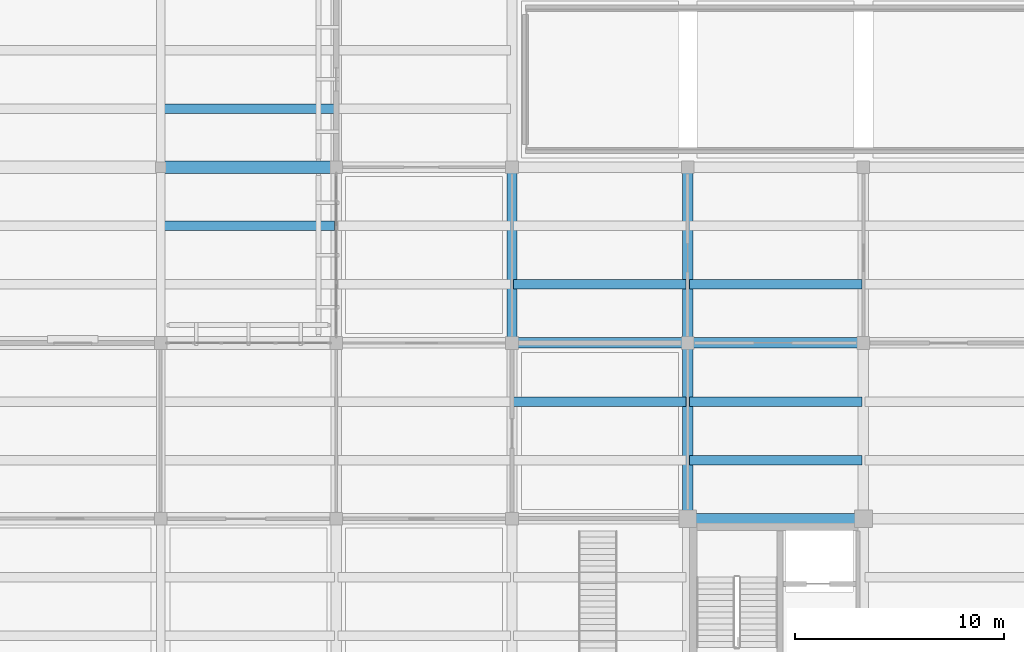
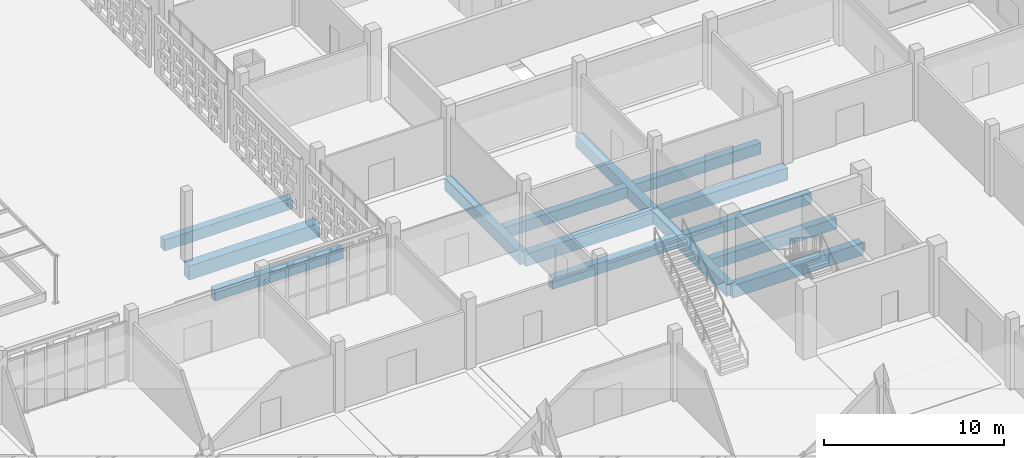
# One storey, part 38 of 129: 14 beams.
"""IFC4 building model written with IfcOpenShell, lengths in metres."""

from ifc_helpers import new_model, si_unit, direction, frame, origin, origin_2d, place, context, subcontext, project, spatial, rectangle, extrude, material, material_profile, profile_set, type_object, element, save


model = new_model("IFC4")

# Units and contexts
model_context = context("Model", 3, precision=1e-05, world=origin(), true_north=direction((0.0, 1.0)))
body_context = subcontext(model_context, "Body", "Model", "MODEL_VIEW")
ifc_project = project(units=[si_unit("LENGTHUNIT", "METRE"), si_unit("AREAUNIT", "SQUARE_METRE"), si_unit("VOLUMEUNIT", "CUBIC_METRE"), si_unit("PLANEANGLEUNIT", "RADIAN"), si_unit("MASSUNIT", "GRAM", prefix="KILO")], contexts=[model_context])

# Site, building, storey
site_placement = place(None, origin())
site = spatial("IfcSite", under=ifc_project, at=site_placement, CompositionType="ELEMENT")
building_placement = place(site_placement, origin())
building = spatial("IfcBuilding", under=site, at=building_placement, Name="Varnapada Polytechnic", CompositionType="ELEMENT")
storey_placement = place(building_placement, origin())
storey = spatial("IfcBuildingStorey", under=building, at=storey_placement, Name="L00", CompositionType="ELEMENT", Elevation=0.0)

# Beams
ifc_material = material(Name="Concrete C40/50", Category="concrete")
ifc_material_profile_1 = material_profile(ifc_material, rectangle(XDim=0.449951171875, YDim=0.75, at=origin_2d()), Name="RC 450x750")
ifc_profile_set_1 = profile_set([ifc_material_profile_1], Name="Concrete C40/50")
beam_type_1 = type_object("IfcBeamType", Name="Basement/podium secondary beam BB-01 (RC 450x750)", PredefinedType="BEAM", material=ifc_profile_set_1)
for number, where, z_axis, x_axis, name in (
    (1, (126.080078125, 47.60009765625, -0.675048828125), (1.0, 0.0, 0.0), (0.0, 1.0, 0.0), "L00 floor joist 16/6.2"),
    (2, (126.080078125, 53.199951171875, -0.675048828125), (1.0, 0.0, 0.0), (0.0, 1.0, 0.0), "L00 floor joist 16/7.1"),
):
    element("IfcBeam", number, at=place(storey_placement, frame(where, z_axis=z_axis, x_axis=x_axis)), inside=storey, type_object=beam_type_1, Name=name, PredefinedType="BEAM", context=body_context, shape_type="SweptSolid", body=[
        extrude(rectangle(XDim=0.449951171875, YDim=0.75, at=origin_2d()), origin(), (0.0, 0.0, 1.0), 8.239990234375),
    ])
for number, where, z_axis, x_axis, name in (
    (3, (142.8798828125, 39.199951171875, -0.675048828125), (1.0, 0.0, 0.0), (0.0, 1.0, 0.0), "L00 floor joist 18/5.2"),
    (4, (142.8798828125, 44.800048828125, -0.675048828125), (1.0, 0.0, 0.0), (0.0, 1.0, 0.0), "L00 floor joist 18/6.1"),
):
    element("IfcBeam", number, at=place(storey_placement, frame(where, z_axis=z_axis, x_axis=x_axis)), inside=storey, type_object=beam_type_1, Name=name, PredefinedType="BEAM", context=body_context, shape_type="SweptSolid", body=[
        extrude(rectangle(XDim=0.449951171875, YDim=0.75, at=origin_2d()), origin(), (0.0, 0.0, 1.0), 8.240234375),
    ])
for number, where, z_axis, x_axis, name in (
    (5, (151.280029296875, 36.39990234375, -0.675048828125), (1.0, 0.0, 0.0), (0.0, 1.0, 0.0), "L00 floor joist 19/5.1"),
    (6, (151.280029296875, 39.199951171875, -0.675048828125), (1.0, 0.0, 0.0), (0.0, 1.0, 0.0), "L00 floor joist 19/5.2"),
    (7, (151.280029296875, 44.800048828125, -0.675048828125), (1.0, 0.0, 0.0), (0.0, 1.0, 0.0), "L00 floor joist 19/6.1"),
):
    element("IfcBeam", number, at=place(storey_placement, frame(where, z_axis=z_axis, x_axis=x_axis)), inside=storey, type_object=beam_type_1, Name=name, PredefinedType="BEAM", context=body_context, shape_type="SweptSolid", body=[
        extrude(rectangle(XDim=0.449951171875, YDim=0.75, at=origin_2d()), origin(), (0.0, 0.0, 1.0), 8.239990234375),
    ])
ifc_material_profile_2 = material_profile(ifc_material, rectangle(XDim=0.5, YDim=0.800048828125, at=origin_2d()), Name="RC 500x800")
ifc_profile_set_2 = profile_set([ifc_material_profile_2], Name="Concrete C40/50")
beam_type_2 = type_object("IfcBeamType", Name="Refectory podium girder BB-03 (RC 500x800)", PredefinedType="BEAM", material=ifc_profile_set_2)
for number, where, z_axis, x_axis, name in (
    (8, (142.800048828125, 42.0, -0.699951171875), (0.0, 1.0, 0.0), (-1.0, 0.0, 0.0), "L00 beam Y 6-7 at X18"),
    (9, (151.199951171875, 33.60009765625, -0.699951171875), (0.0, 1.0, 0.0), (-1.0, 0.0, 0.0), "L00 beam Y 5-6 at X19"),
    (10, (151.199951171875, 42.0, -0.699951171875), (0.0, 1.0, 0.0), (-1.0, 0.0, 0.0), "L00 beam Y 6-7 at X19"),
):
    element("IfcBeam", number, at=place(storey_placement, frame(where, z_axis=z_axis, x_axis=x_axis)), inside=storey, type_object=beam_type_2, Name=name, PredefinedType="BEAM", context=body_context, shape_type="SweptSolid", body=[
        extrude(rectangle(XDim=0.5, YDim=0.800048828125, at=origin_2d()), origin(), (0.0, 0.0, 1.0), 8.39990234375),
    ])
ifc_material_profile_3 = material_profile(ifc_material, rectangle(XDim=0.5, YDim=0.85009765625, at=origin_2d()), Name="RC 500x850")
ifc_profile_set_3 = profile_set([ifc_material_profile_3], Name="Concrete C40/50")
beam_type_3 = type_object("IfcBeamType", Name="Standard podium primary girder BG-02 (RC 500x850)", PredefinedType="T_BEAM", material=ifc_profile_set_3)
beam_1_placement = place(storey_placement, frame((142.800048828125, 42.0, -0.72509765625), z_axis=(1.0, 0.0, 0.0), x_axis=(0.0, 1.0, 0.0)))
element("IfcBeam", 11, at=beam_1_placement, inside=storey, type_object=beam_type_3, Name="L00 beam X 18-19 at Y6", PredefinedType="T_BEAM", context=body_context, shape_type="SweptSolid", body=[
    extrude(rectangle(XDim=0.5, YDim=0.85009765625, at=origin_2d()), origin(), (0.0, 0.0, 1.0), 8.39990234375),
])
for number, where, z_axis, x_axis, name in (
    (12, (151.199951171875, 33.60009765625, -0.72509765625), (1.0, 0.0, 0.0), (0.0, 1.0, 0.0), "L00 beam X 19-20 at Y5"),
    (13, (151.199951171875, 42.0, -0.72509765625), (1.0, 0.0, 0.0), (0.0, 1.0, 0.0), "L00 beam X 19-20 at Y6"),
):
    element("IfcBeam", number, at=place(storey_placement, frame(where, z_axis=z_axis, x_axis=x_axis)), inside=storey, type_object=beam_type_3, Name=name, PredefinedType="T_BEAM", context=body_context, shape_type="SweptSolid", body=[
        extrude(rectangle(XDim=0.5, YDim=0.85009765625, at=origin_2d()), origin(), (0.0, 0.0, 1.0), 8.400146484375),
    ])
ifc_material_profile_4 = material_profile(ifc_material, rectangle(XDim=0.60009765625, YDim=0.949951171875, at=origin_2d()), Name="RC 600x950")
ifc_profile_set_4 = profile_set([ifc_material_profile_4], Name="Concrete C40/50")
beam_type_4 = type_object("IfcBeamType", Name="Workshop podium heavy girder BG-03 (RC 600x950)", PredefinedType="T_BEAM", material=ifc_profile_set_4)
beam_2_placement = place(storey_placement, frame((126.0, 50.39990234375, -0.77490234375), z_axis=(1.0, 0.0, 0.0), x_axis=(0.0, 1.0, 0.0)))
element("IfcBeam", 14, at=beam_2_placement, inside=storey, type_object=beam_type_4, Name="L00 beam X 16-17 at Y7", PredefinedType="T_BEAM", context=body_context, shape_type="SweptSolid", body=[
    extrude(rectangle(XDim=0.60009765625, YDim=0.949951171875, at=origin_2d()), origin(), (0.0, 0.0, 1.0), 8.39990234375),
])

save(model, "model.ifc")
